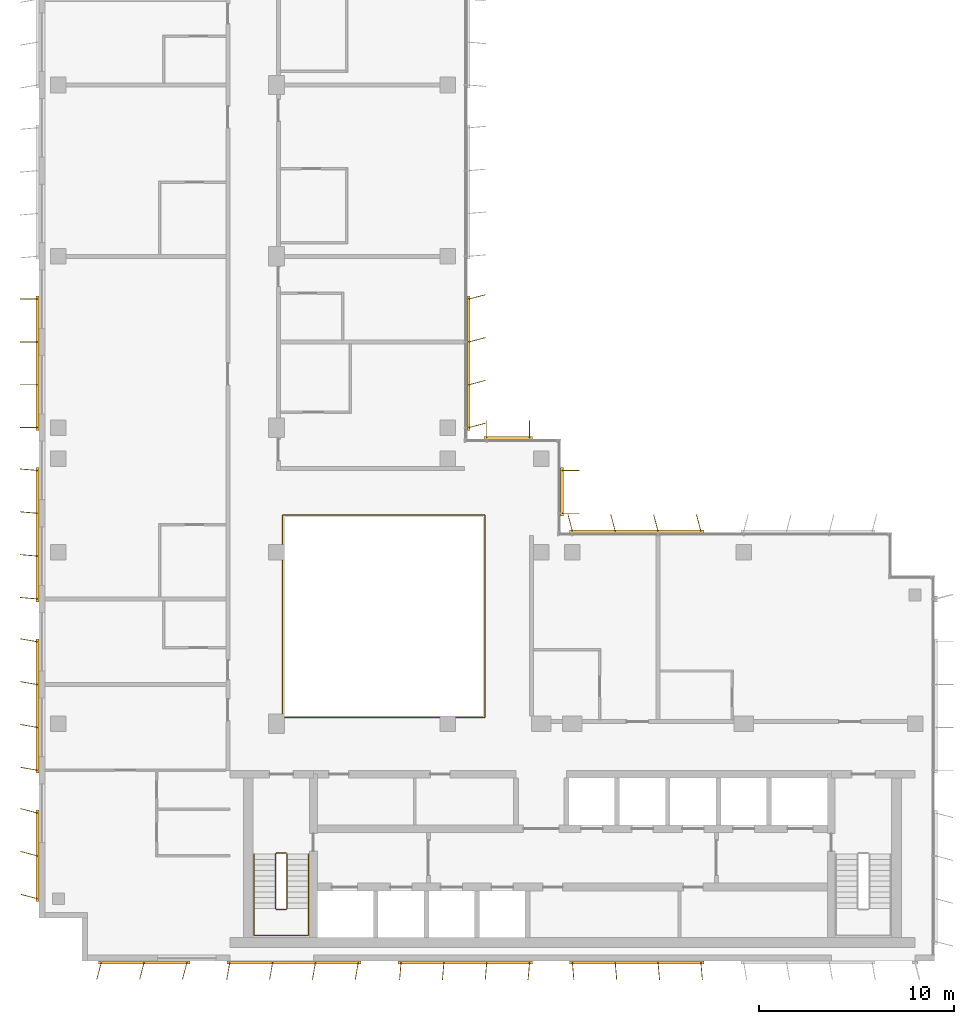
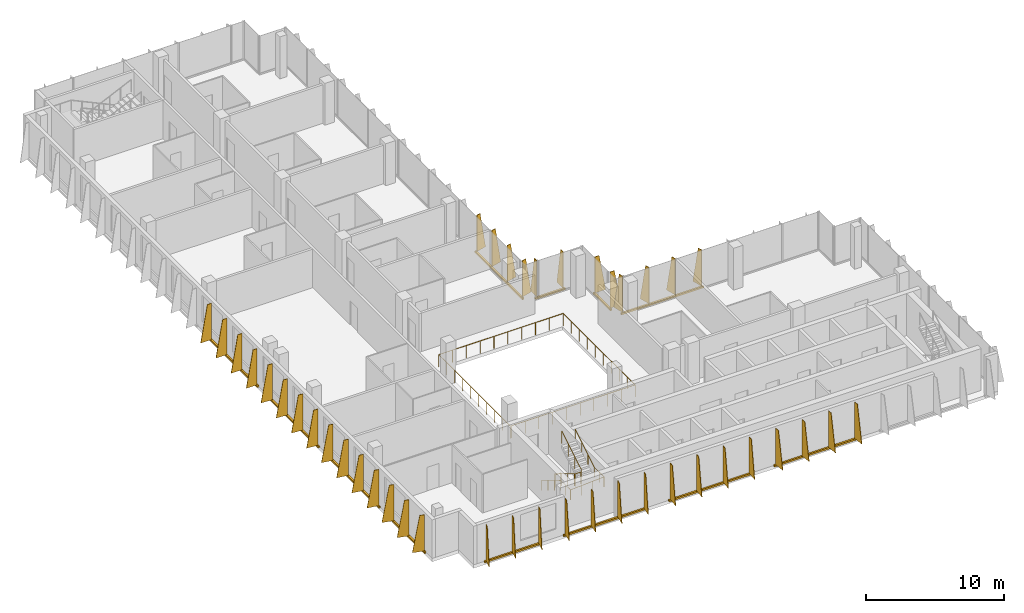
# One storey, part 13 of 15: 12 shading devices, 3 railings.
"""IFC4 building model written with IfcOpenShell, lengths in metres."""

from ifc_helpers import new_model, si_unit, direction, frame, origin, origin_2d, place, context, subcontext, project, spatial, polyline, rectangle, circle, outline, extrude, source, transform, mapped, material, layer, layer_set, type_object, element, save


model = new_model("IFC4")

# Units and contexts
model_context = context("Model", 3, precision=1e-05, world=origin(), true_north=direction((0.0, 1.0)))
body_context = subcontext(model_context, "Body", "Model", "MODEL_VIEW")
ifc_project = project(units=[si_unit("LENGTHUNIT", "METRE"), si_unit("AREAUNIT", "SQUARE_METRE"), si_unit("VOLUMEUNIT", "CUBIC_METRE"), si_unit("PLANEANGLEUNIT", "RADIAN"), si_unit("MASSUNIT", "GRAM", prefix="KILO")], contexts=[model_context])

# Site, building, storey
site_placement = place(None, origin())
site = spatial("IfcSite", under=ifc_project, at=site_placement, CompositionType="ELEMENT")
building_placement = place(site_placement, origin())
building = spatial("IfcBuilding", under=site, at=building_placement, Name="Kemantara Hotel Tower", CompositionType="ELEMENT")
storey_placement = place(building_placement, frame((0.0, 0.0, 233.89990234375)))
storey = spatial("IfcBuildingStorey", under=building, at=storey_placement, Name="L58", CompositionType="ELEMENT", Elevation=233.89990234375)

# Railings
ifc_material_1 = material(Name="Stainless steel and laminated glass balustrade", Category="steel")
railing_type_1 = type_object("IfcRailingType", Name="ATRIUM GUARD 1100", PredefinedType="GUARDRAIL", material=ifc_material_1)
railing_1_placement = place(storey_placement, frame((12.56005859375, 12.5, 0.0)))
element("IfcRailing", 1, at=railing_1_placement, inside=storey, type_object=railing_type_1, Name="ATRIUM GUARD L58", PredefinedType="GUARDRAIL", context=body_context, shape_type="SweptSolid", body=[
    extrude(circle(Radius=0.02490234375, at=origin_2d()), frame((0.0, 0.0, 1.0751953125), z_axis=(1.0, 0.0, 0.0), x_axis=(0.0, 1.0, 0.0)), (0.0, 0.0, 1.0), 10.33984375),
    extrude(circle(Radius=0.02490234375, at=origin_2d()), frame((10.33984375, 0.0, 1.0751953125), z_axis=(0.0, 1.0, 0.0), x_axis=(-1.0, 0.0, 0.0)), (0.0, 0.0, 1.0), 10.39990234375),
    extrude(circle(Radius=0.02490234375, at=origin_2d()), frame((10.33984375, 10.39990234375, 1.0751953125), z_axis=(-1.0, 0.0, 0.0), x_axis=(0.0, -1.0, 0.0)), (0.0, 0.0, 1.0), 10.39990234375),
    extrude(circle(Radius=0.02490234375, at=origin_2d()), frame((-0.06005859375, 10.39990234375, 1.0751953125), z_axis=(0.0, -1.0, 0.0), x_axis=(1.0, 0.0, 0.0)), (0.0, 0.0, 1.0), 10.39990234375),
    extrude(circle(Radius=0.02001953125, at=origin_2d()), origin(), (0.0, 0.0, 1.0), 1.050048828125),
    extrude(circle(Radius=0.02001953125, at=origin_2d()), frame((1.14892578125, 0.0, 0.0)), (0.0, 0.0, 1.0), 1.050048828125),
    extrude(circle(Radius=0.02001953125, at=origin_2d()), frame((2.2978515625, 0.0, 0.0)), (0.0, 0.0, 1.0), 1.050048828125),
    extrude(circle(Radius=0.02001953125, at=origin_2d()), frame((3.446533203125, 0.0, 0.0)), (0.0, 0.0, 1.0), 1.050048828125),
    extrude(circle(Radius=0.02001953125, at=origin_2d()), frame((4.595458984375, 0.0, 0.0)), (0.0, 0.0, 1.0), 1.050048828125),
    extrude(circle(Radius=0.02001953125, at=origin_2d()), frame((5.744384765625, 0.0, 0.0)), (0.0, 0.0, 1.0), 1.050048828125),
    extrude(circle(Radius=0.02001953125, at=origin_2d()), frame((6.893310546875, 0.0, 0.0)), (0.0, 0.0, 1.0), 1.050048828125),
    extrude(circle(Radius=0.02001953125, at=origin_2d()), frame((8.0419921875, 0.0, 0.0)), (0.0, 0.0, 1.0), 1.050048828125),
    extrude(circle(Radius=0.02001953125, at=origin_2d()), frame((9.19091796875, 0.0, 0.0)), (0.0, 0.0, 1.0), 1.050048828125),
    extrude(circle(Radius=0.02001953125, at=origin_2d()), frame((10.33984375, 0.0, 0.0)), (0.0, 0.0, 1.0), 1.050048828125),
    extrude(circle(Radius=0.02001953125, at=origin_2d()), frame((10.33984375, 1.155517578125, 0.0)), (0.0, 0.0, 1.0), 1.050048828125),
    extrude(circle(Radius=0.02001953125, at=origin_2d()), frame((10.33984375, 2.31103515625, 0.0)), (0.0, 0.0, 1.0), 1.050048828125),
    extrude(circle(Radius=0.02001953125, at=origin_2d()), frame((10.33984375, 3.466552734375, 0.0)), (0.0, 0.0, 1.0), 1.050048828125),
    extrude(circle(Radius=0.02001953125, at=origin_2d()), frame((10.33984375, 4.6220703125, 0.0)), (0.0, 0.0, 1.0), 1.050048828125),
    extrude(circle(Radius=0.02001953125, at=origin_2d()), frame((10.33984375, 5.77783203125, 0.0)), (0.0, 0.0, 1.0), 1.050048828125),
    extrude(circle(Radius=0.02001953125, at=origin_2d()), frame((10.33984375, 6.933349609375, 0.0)), (0.0, 0.0, 1.0), 1.050048828125),
    extrude(circle(Radius=0.02001953125, at=origin_2d()), frame((10.33984375, 8.0888671875, 0.0)), (0.0, 0.0, 1.0), 1.050048828125),
    extrude(circle(Radius=0.02001953125, at=origin_2d()), frame((10.33984375, 9.244384765625, 0.0)), (0.0, 0.0, 1.0), 1.050048828125),
    extrude(circle(Radius=0.02001953125, at=origin_2d()), frame((10.33984375, 10.39990234375, 0.0)), (0.0, 0.0, 1.0), 1.050048828125),
    extrude(circle(Radius=0.02001953125, at=origin_2d()), frame((9.184326171875, 10.39990234375, 0.0)), (0.0, 0.0, 1.0), 1.050048828125),
    extrude(circle(Radius=0.02001953125, at=origin_2d()), frame((8.02880859375, 10.39990234375, 0.0)), (0.0, 0.0, 1.0), 1.050048828125),
    extrude(circle(Radius=0.02001953125, at=origin_2d()), frame((6.873291015625, 10.39990234375, 0.0)), (0.0, 0.0, 1.0), 1.050048828125),
    extrude(circle(Radius=0.02001953125, at=origin_2d()), frame((5.7177734375, 10.39990234375, 0.0)), (0.0, 0.0, 1.0), 1.050048828125),
    extrude(circle(Radius=0.02001953125, at=origin_2d()), frame((4.56201171875, 10.39990234375, 0.0)), (0.0, 0.0, 1.0), 1.050048828125),
    extrude(circle(Radius=0.02001953125, at=origin_2d()), frame((3.406494140625, 10.39990234375, 0.0)), (0.0, 0.0, 1.0), 1.050048828125),
    extrude(circle(Radius=0.02001953125, at=origin_2d()), frame((2.2509765625, 10.39990234375, 0.0)), (0.0, 0.0, 1.0), 1.050048828125),
    extrude(circle(Radius=0.02001953125, at=origin_2d()), frame((1.095458984375, 10.39990234375, 0.0)), (0.0, 0.0, 1.0), 1.050048828125),
    extrude(circle(Radius=0.02001953125, at=origin_2d()), frame((-0.06005859375, 10.39990234375, 0.0)), (0.0, 0.0, 1.0), 1.050048828125),
    extrude(circle(Radius=0.02001953125, at=origin_2d()), frame((-0.06005859375, 9.244384765625, 0.0)), (0.0, 0.0, 1.0), 1.050048828125),
    extrude(circle(Radius=0.02001953125, at=origin_2d()), frame((-0.06005859375, 8.0888671875, 0.0)), (0.0, 0.0, 1.0), 1.050048828125),
    extrude(circle(Radius=0.02001953125, at=origin_2d()), frame((-0.06005859375, 6.933349609375, 0.0)), (0.0, 0.0, 1.0), 1.050048828125),
    extrude(circle(Radius=0.02001953125, at=origin_2d()), frame((-0.06005859375, 5.77783203125, 0.0)), (0.0, 0.0, 1.0), 1.050048828125),
    extrude(circle(Radius=0.02001953125, at=origin_2d()), frame((-0.06005859375, 4.6220703125, 0.0)), (0.0, 0.0, 1.0), 1.050048828125),
    extrude(circle(Radius=0.02001953125, at=origin_2d()), frame((-0.06005859375, 3.466552734375, 0.0)), (0.0, 0.0, 1.0), 1.050048828125),
    extrude(circle(Radius=0.02001953125, at=origin_2d()), frame((-0.06005859375, 2.31103515625, 0.0)), (0.0, 0.0, 1.0), 1.050048828125),
    extrude(circle(Radius=0.02001953125, at=origin_2d()), frame((-0.06005859375, 1.155517578125, 0.0)), (0.0, 0.0, 1.0), 1.050048828125),
    extrude(circle(Radius=0.02001953125, at=origin_2d()), frame((-0.06005859375, 0.0, 0.0)), (0.0, 0.0, 1.0), 1.050048828125),
])
ifc_material_2 = material(Name="Stainless steel balustrade", Category="steel")
railing_type_2 = type_object("IfcRailingType", Name="Stair guard 1100 mm", PredefinedType="GUARDRAIL", material=ifc_material_2)
railing_2_placement = place(storey_placement, frame((12.75, 5.5, 3.7001953125)))
element("IfcRailing", 2, at=railing_2_placement, inside=storey, type_object=railing_type_2, Name="L58 ST1 stair guard 1", PredefinedType="GUARDRAIL", context=body_context, shape_type="SweptSolid", body=[
    extrude(circle(Radius=0.02392578125, at=origin_2d()), frame((0.0, 0.0, 1.076171875), z_axis=(0.0, -0.857242210791, -0.514913383045), x_axis=(1.0, 0.0, 0.0)), (0.0, 0.0, 1.0), 3.266357421875),
    extrude(circle(Radius=0.02392578125, at=origin_2d()), frame((0.0, -2.800048828125, -0.60595703125), z_axis=(-0.274243871929, -0.274243871929, -0.92172696468), x_axis=(0.707106781187, -0.707106781187, 0.0)), (0.0, 0.0, 1.0), 0.1826171875),
    extrude(circle(Radius=0.02392578125, at=origin_2d()), frame((-0.050048828125, -2.85009765625, -0.77392578125), z_axis=(-1.0, 0.0, 0.0), x_axis=(0.0, -1.0, 0.0)), (0.0, 0.0, 1.0), 0.5),
    extrude(circle(Radius=0.02392578125, at=origin_2d()), frame((-0.550048828125, -2.85009765625, -0.77392578125), z_axis=(-0.707106781187, 0.707106781187, 0.0), x_axis=(-0.707106781187, -0.707106781187, 0.0)), (0.0, 0.0, 1.0), 0.07080078125),
    extrude(circle(Radius=0.02392578125, at=origin_2d()), frame((-0.60009765625, -2.800048828125, -0.77392578125), z_axis=(0.0, 0.857242210791, -0.514913383045), x_axis=(-1.0, 0.0, 0.0)), (0.0, 0.0, 1.0), 3.266357421875),
    extrude(circle(Radius=0.02392578125, at=origin_2d()), frame((-0.60009765625, 0.0, -2.4560546875), z_axis=(0.274243871929, 0.274243871929, -0.92172696468), x_axis=(-0.707106781187, 0.707106781187, 0.0)), (0.0, 0.0, 1.0), 0.1826171875),
    extrude(circle(Radius=0.02392578125, at=origin_2d()), frame((-0.550048828125, 0.050048828125, -2.6240234375), z_axis=(1.0, 0.0, 0.0), x_axis=(0.0, 1.0, 0.0)), (0.0, 0.0, 1.0), 0.5),
    extrude(circle(Radius=0.02099609375, at=origin_2d()), origin(), (0.0, 0.0, 1.0), 1.052001953125),
    extrude(circle(Radius=0.02099609375, at=origin_2d()), frame((0.0, -0.933349609375, -0.560546875)), (0.0, 0.0, 1.0), 1.052001953125),
    extrude(circle(Radius=0.02099609375, at=origin_2d()), frame((0.0, -1.86669921875, -1.121337890625)), (0.0, 0.0, 1.0), 1.052001953125),
    extrude(circle(Radius=0.02099609375, at=origin_2d()), frame((0.0, -2.800048828125, -1.681884765625)), (0.0, 0.0, 1.0), 1.052001953125),
    extrude(circle(Radius=0.02099609375, at=origin_2d()), frame((-0.050048828125, -2.85009765625, -1.85009765625)), (0.0, 0.0, 1.0), 1.052001953125),
    extrude(circle(Radius=0.02099609375, at=origin_2d()), frame((-0.550048828125, -2.85009765625, -1.85009765625)), (0.0, 0.0, 1.0), 1.052001953125),
    extrude(circle(Radius=0.02099609375, at=origin_2d()), frame((-0.60009765625, -2.800048828125, -1.85009765625)), (0.0, 0.0, 1.0), 1.052001953125),
    extrude(circle(Radius=0.02099609375, at=origin_2d()), frame((-0.60009765625, -1.86669921875, -2.41064453125)), (0.0, 0.0, 1.0), 1.052001953125),
    extrude(circle(Radius=0.02099609375, at=origin_2d()), frame((-0.60009765625, -0.933349609375, -2.971435546875)), (0.0, 0.0, 1.0), 1.052001953125),
    extrude(circle(Radius=0.02099609375, at=origin_2d()), frame((-0.60009765625, 0.0, -3.531982421875)), (0.0, 0.0, 1.0), 1.052001953125),
    extrude(circle(Radius=0.02099609375, at=origin_2d()), frame((-0.550048828125, 0.050048828125, -3.7001953125)), (0.0, 0.0, 1.0), 1.052001953125),
    extrude(circle(Radius=0.02099609375, at=origin_2d()), frame((-0.050048828125, 0.050048828125, -3.7001953125)), (0.0, 0.0, 1.0), 1.052001953125),
])
railing_type_3 = type_object("IfcRailingType", Name="Stair handrail 900 mm", PredefinedType="HANDRAIL", material=ifc_material_2)
railing_3_placement = place(storey_placement, frame((11.050048828125, 5.5, 0.168212890625)))
element("IfcRailing", 3, at=railing_3_placement, inside=storey, type_object=railing_type_3, Name="L58 ST1 stair handrail 1", PredefinedType="HANDRAIL", context=body_context, shape_type="SweptSolid", body=[
    extrude(circle(Radius=0.02392578125, at=origin_2d()), frame((0.0, 0.0, 0.8759765625), z_axis=(0.0, -0.857242210791, 0.514913383045), x_axis=(1.0, 0.0, 0.0)), (0.0, 0.0, 1.0), 3.266357421875),
    extrude(circle(Radius=0.02392578125, at=origin_2d()), frame((0.0, -2.800048828125, 2.5576171875), z_axis=(0.0, -1.0, 0.0), x_axis=(1.0, 0.0, 0.0)), (0.0, 0.0, 1.0), 1.3798828125),
    extrude(circle(Radius=0.02392578125, at=origin_2d()), frame((0.0, -4.179931640625, 2.5576171875), z_axis=(0.998200367801, 0.0, 0.059966871865), x_axis=(0.0, 1.0, 0.0)), (0.0, 0.0, 1.0), 2.80517578125),
    extrude(circle(Radius=0.02392578125, at=origin_2d()), frame((2.800048828125, -4.179931640625, 2.72607421875), z_axis=(0.0, 1.0, 0.0), x_axis=(-1.0, 0.0, 0.0)), (0.0, 0.0, 1.0), 1.3798828125),
    extrude(circle(Radius=0.02392578125, at=origin_2d()), frame((2.800048828125, -2.800048828125, 2.72607421875), z_axis=(0.0, 0.857242210791, 0.514913383045), x_axis=(-1.0, 0.0, 0.0)), (0.0, 0.0, 1.0), 3.266357421875),
    extrude(circle(Radius=0.02099609375, at=origin_2d()), origin(), (0.0, 0.0, 1.0), 0.851806640625),
    extrude(circle(Radius=0.02099609375, at=origin_2d()), frame((0.0, -0.933349609375, 0.560546875)), (0.0, 0.0, 1.0), 0.851806640625),
    extrude(circle(Radius=0.02099609375, at=origin_2d()), frame((0.0, -1.86669921875, 1.121337890625)), (0.0, 0.0, 1.0), 0.851806640625),
    extrude(circle(Radius=0.02099609375, at=origin_2d()), frame((0.0, -2.800048828125, 1.681884765625)), (0.0, 0.0, 1.0), 0.851806640625),
    extrude(circle(Radius=0.02099609375, at=origin_2d()), frame((0.0, -3.489990234375, 1.681884765625)), (0.0, 0.0, 1.0), 0.851806640625),
    extrude(circle(Radius=0.02099609375, at=origin_2d()), frame((0.0, -4.179931640625, 1.681884765625)), (0.0, 0.0, 1.0), 0.851806640625),
    extrude(circle(Radius=0.02099609375, at=origin_2d()), frame((0.933349609375, -4.179931640625, 1.738037109375)), (0.0, 0.0, 1.0), 0.851806640625),
    extrude(circle(Radius=0.02099609375, at=origin_2d()), frame((1.86669921875, -4.179931640625, 1.7939453125)), (0.0, 0.0, 1.0), 0.851806640625),
    extrude(circle(Radius=0.02099609375, at=origin_2d()), frame((2.800048828125, -4.179931640625, 1.85009765625)), (0.0, 0.0, 1.0), 0.851806640625),
    extrude(circle(Radius=0.02099609375, at=origin_2d()), frame((2.800048828125, -3.489990234375, 1.85009765625)), (0.0, 0.0, 1.0), 0.851806640625),
    extrude(circle(Radius=0.02099609375, at=origin_2d()), frame((2.800048828125, -2.800048828125, 1.85009765625)), (0.0, 0.0, 1.0), 0.851806640625),
    extrude(circle(Radius=0.02099609375, at=origin_2d()), frame((2.800048828125, -1.86669921875, 2.41064453125)), (0.0, 0.0, 1.0), 0.851806640625),
    extrude(circle(Radius=0.02099609375, at=origin_2d()), frame((2.800048828125, -0.933349609375, 2.971435546875)), (0.0, 0.0, 1.0), 0.851806640625),
    extrude(circle(Radius=0.02099609375, at=origin_2d()), frame((2.800048828125, 0.0, 3.531982421875)), (0.0, 0.0, 1.0), 0.851806640625),
])

# Shading devices
ifc_material_3 = material(Name="Perforated aluminium plate 4 mm bronze anodised", Category="aluminium")
ifc_layer_1 = layer(ifc_material_3, 0.0400390625)
ifc_layer_set_1 = layer_set([ifc_layer_1], Name="Perforated aluminium plate 4 mm bronze anodised")
shading_device_type_1 = type_object("IfcShadingDeviceType", Name="SCREEN FIN CASSETTE, 3 BLADES AT -15.0 DEG, 3200 HIGH", PredefinedType="USERDEFINED", material=ifc_layer_set_1)
shared_shape_1 = source(origin(), body_context, "Body", "SweptSolid", [
    extrude(rectangle(XDim=4.699951171875, YDim=0.14990234375, at=origin_2d()), frame((2.199951171875, -0.074951171875, -0.14990234375), z_axis=(0.0, 0.0, 1.0), x_axis=(1.0, 0.0, 0.0)), (0.0, 0.0, 1.0), 0.14990234375),
    extrude(outline(polyline([(0.0, 0.0), (0.89990234375, 0.0), (0.35009765625, 3.199951171875), (0.0, 3.199951171875), (0.0, 0.0)])), frame((0.019287109375, -0.080078125, 0.0), z_axis=(-0.966437683387, 0.256901156343, 0.0), x_axis=(-0.256901156343, -0.966437683387, 0.0)), (0.0, 0.0, 1.0), 0.039794921875),
    extrude(outline(polyline([(0.0, 0.0), (0.89990234375, 0.0), (0.35009765625, 3.199951171875), (0.0, 3.199951171875), (0.0, 0.0)])), frame((2.21923828125, -0.080078125, 0.0), z_axis=(-0.966437683387, 0.256901156343, 0.0), x_axis=(-0.256901156343, -0.966437683387, 0.0)), (0.0, 0.0, 1.0), 0.039794921875),
    extrude(outline(polyline([(0.0, 0.0), (0.89990234375, 0.0), (0.35009765625, 3.199951171875), (0.0, 3.199951171875), (0.0, 0.0)])), frame((4.41943359375, -0.080078125, 0.0), z_axis=(-0.966837822169, 0.255391122837, 0.0), x_axis=(-0.255391122837, -0.966837822169, 0.0)), (0.0, 0.0, 1.0), 0.0400390625),
])
for number, where, z_axis, x_axis, name in (
    (4, (0.0, 7.60009765625, 0.10009765625), (0.0, 0.0, 1.0), (0.0, -1.0, 0.0), "SCREEN FIN CASSETTE L58 T4-R05-7"),
    (5, (3.199951171875, 0.0, 0.10009765625), (0.0, 0.0, 1.0), (1.0, 0.0, 0.0), "SCREEN FIN CASSETTE L58 T4-R08-1"),
):
    element("IfcShadingDevice", number, at=place(storey_placement, frame(where, z_axis=z_axis, x_axis=x_axis)), inside=storey, type_object=shading_device_type_1, Name=name, ObjectType="SCREEN FIN", PredefinedType="USERDEFINED", context=body_context, shape_type="MappedRepresentation", body=[
        mapped(shared_shape_1, transform((0.0, 0.0, 0.0))),
    ])
ifc_layer_2 = layer(ifc_material_3, 0.0400390625)
ifc_layer_set_2 = layer_set([ifc_layer_2], Name="Perforated aluminium plate 4 mm bronze anodised")
shading_device_type_2 = type_object("IfcShadingDeviceType", Name="SCREEN FIN CASSETTE, 4 BLADES AT -10.0 DEG, 3200 HIGH", PredefinedType="USERDEFINED", material=ifc_layer_set_2)
shared_shape_2 = source(origin(), body_context, "Body", "SweptSolid", [
    extrude(rectangle(XDim=6.89990234375, YDim=0.14990234375, at=origin_2d()), frame((3.300048828125, -0.074951171875, -0.14990234375), z_axis=(0.0, 0.0, 1.0), x_axis=(1.0, 0.0, 0.0)), (0.0, 0.0, 1.0), 0.14990234375),
    extrude(outline(polyline([(0.0, 0.0), (0.89990234375, 0.0), (0.35009765625, 3.199951171875), (0.0, 3.199951171875), (0.0, 0.0)])), frame((0.019775390625, -0.078369140625, 0.0), z_axis=(-0.985389793052, 0.170314285219, 0.0), x_axis=(-0.170314285219, -0.985389793052, 0.0)), (0.0, 0.0, 1.0), 0.0400390625),
    extrude(outline(polyline([(0.0, 0.0), (0.89990234375, 0.0), (0.35009765625, 3.199951171875), (0.0, 3.199951171875), (0.0, 0.0)])), frame((2.2197265625, -0.078369140625, 0.0), z_axis=(-0.98521175482, 0.171341174751, 0.0), x_axis=(-0.171341174751, -0.98521175482, 0.0)), (0.0, 0.0, 1.0), 0.039794921875),
    extrude(outline(polyline([(0.0, 0.0), (0.89990234375, 0.0), (0.35009765625, 3.199951171875), (0.0, 3.199951171875), (0.0, 0.0)])), frame((4.419677734375, -0.078369140625, 0.0), z_axis=(-0.98521175482, 0.171341174751, 0.0), x_axis=(-0.171341174751, -0.98521175482, 0.0)), (0.0, 0.0, 1.0), 0.039794921875),
    extrude(outline(polyline([(0.0, 0.0), (0.89990234375, 0.0), (0.35009765625, 3.199951171875), (0.0, 3.199951171875), (0.0, 0.0)])), frame((6.61962890625, -0.078369140625, 0.0), z_axis=(-0.98521175482, 0.171341174751, 0.0), x_axis=(-0.171341174751, -0.98521175482, 0.0)), (0.0, 0.0, 1.0), 0.039794921875),
])
for number, where, z_axis, x_axis, name in (
    (6, (0.0, 16.39990234375, 0.10009765625), (0.0, 0.0, 1.0), (0.0, -1.0, 0.0), "SCREEN FIN CASSETTE L58 T4-R05-6"),
    (7, (9.800048828125, 0.0, 0.10009765625), (0.0, 0.0, 1.0), (1.0, 0.0, 0.0), "SCREEN FIN CASSETTE L58 T4-R08-2"),
):
    element("IfcShadingDevice", number, at=place(storey_placement, frame(where, z_axis=z_axis, x_axis=x_axis)), inside=storey, type_object=shading_device_type_2, Name=name, ObjectType="SCREEN FIN", PredefinedType="USERDEFINED", context=body_context, shape_type="MappedRepresentation", body=[
        mapped(shared_shape_2, transform((0.0, 0.0, 0.0))),
    ])
ifc_layer_3 = layer(ifc_material_3, 0.0400390625)
ifc_layer_set_3 = layer_set([ifc_layer_3], Name="Perforated aluminium plate 4 mm bronze anodised")
shading_device_type_3 = type_object("IfcShadingDeviceType", Name="SCREEN FIN CASSETTE, 4 BLADES AT -5.0 DEG, 3200 HIGH", PredefinedType="USERDEFINED", material=ifc_layer_set_3)
shared_shape_3 = source(origin(), body_context, "Body", "SweptSolid", [
    extrude(rectangle(XDim=6.89990234375, YDim=0.14990234375, at=origin_2d()), frame((3.300048828125, -0.074951171875, -0.14990234375), z_axis=(0.0, 0.0, 1.0), x_axis=(1.0, 0.0, 0.0)), (0.0, 0.0, 1.0), 0.14990234375),
    extrude(outline(polyline([(0.0, 0.0), (0.89990234375, 0.0), (0.35009765625, 3.199951171875), (0.0, 3.199951171875), (0.0, 0.0)])), frame((0.02001953125, -0.07666015625, 0.0), z_axis=(-0.996376129781, 0.085056498884, 0.0), x_axis=(-0.085056498884, -0.996376129781, 0.0)), (0.0, 0.0, 1.0), 0.040283203125),
    extrude(outline(polyline([(0.0, 0.0), (0.89990234375, 0.0), (0.35009765625, 3.199951171875), (0.0, 3.199951171875), (0.0, 0.0)])), frame((2.219970703125, -0.07666015625, 0.0), z_axis=(-0.996331773833, 0.085574508182, 0.0), x_axis=(-0.085574508182, -0.996331773833, 0.0)), (0.0, 0.0, 1.0), 0.0400390625),
    extrude(outline(polyline([(0.0, 0.0), (0.89990234375, 0.0), (0.35009765625, 3.199951171875), (0.0, 3.199951171875), (0.0, 0.0)])), frame((4.419921875, -0.07666015625, 0.0), z_axis=(-0.996331773833, 0.085574508182, 0.0), x_axis=(-0.085574508182, -0.996331773833, 0.0)), (0.0, 0.0, 1.0), 0.0400390625),
    extrude(outline(polyline([(0.0, 0.0), (0.89990234375, 0.0), (0.35009765625, 3.199951171875), (0.0, 3.199951171875), (0.0, 0.0)])), frame((6.619873046875, -0.07666015625, 0.0), z_axis=(-0.996331773833, 0.085574508182, 0.0), x_axis=(-0.085574508182, -0.996331773833, 0.0)), (0.0, 0.0, 1.0), 0.0400390625),
])
for number, where, z_axis, x_axis, name in (
    (8, (0.0, 25.199951171875, 0.10009765625), (0.0, 0.0, 1.0), (0.0, -1.0, 0.0), "SCREEN FIN CASSETTE L58 T4-R05-5"),
    (9, (18.60009765625, 0.0, 0.10009765625), (0.0, 0.0, 1.0), (1.0, 0.0, 0.0), "SCREEN FIN CASSETTE L58 T4-R08-3"),
):
    element("IfcShadingDevice", number, at=place(storey_placement, frame(where, z_axis=z_axis, x_axis=x_axis)), inside=storey, type_object=shading_device_type_3, Name=name, ObjectType="SCREEN FIN", PredefinedType="USERDEFINED", context=body_context, shape_type="MappedRepresentation", body=[
        mapped(shared_shape_3, transform((0.0, 0.0, 0.0))),
    ])
ifc_layer_4 = layer(ifc_material_3, 0.0400390625)
ifc_layer_set_4 = layer_set([ifc_layer_4], Name="Perforated aluminium plate 4 mm bronze anodised")
shading_device_type_4 = type_object("IfcShadingDeviceType", Name="SCREEN FIN CASSETTE, 4 BLADES AT +0.0 DEG, 3200 HIGH", PredefinedType="USERDEFINED", material=ifc_layer_set_4)
shared_shape_4 = source(origin(), body_context, "Body", "SweptSolid", [
    extrude(rectangle(XDim=6.89990234375, YDim=0.14990234375, at=origin_2d()), frame((3.300048828125, -0.074951171875, -0.14990234375), z_axis=(0.0, 0.0, 1.0), x_axis=(1.0, 0.0, 0.0)), (0.0, 0.0, 1.0), 0.14990234375),
    extrude(outline(polyline([(0.0, 0.0), (0.89990234375, 0.0), (0.35009765625, 3.199951171875), (0.0, 3.199951171875), (0.0, 0.0)])), frame((0.02001953125, -0.074951171875, 0.0), z_axis=(-1.0, 0.0, 0.0), x_axis=(0.0, -1.0, 0.0)), (0.0, 0.0, 1.0), 0.0400390625),
    extrude(outline(polyline([(0.0, 0.0), (0.89990234375, 0.0), (0.35009765625, 3.199951171875), (0.0, 3.199951171875), (0.0, 0.0)])), frame((2.219970703125, -0.074951171875, 0.0), z_axis=(-1.0, 0.0, 0.0), x_axis=(0.0, -1.0, 0.0)), (0.0, 0.0, 1.0), 0.0400390625),
    extrude(outline(polyline([(0.0, 0.0), (0.89990234375, 0.0), (0.35009765625, 3.199951171875), (0.0, 3.199951171875), (0.0, 0.0)])), frame((4.419921875, -0.074951171875, 0.0), z_axis=(-1.0, 0.0, 0.0), x_axis=(0.0, -1.0, 0.0)), (0.0, 0.0, 1.0), 0.0400390625),
    extrude(outline(polyline([(0.0, 0.0), (0.89990234375, 0.0), (0.35009765625, 3.199951171875), (0.0, 3.199951171875), (0.0, 0.0)])), frame((6.6201171875, -0.074951171875, 0.0), z_axis=(-1.0, 0.0, 0.0), x_axis=(0.0, -1.0, 0.0)), (0.0, 0.0, 1.0), 0.0400390625),
])
shading_device_1_placement = place(storey_placement, frame((0.0, 34.0, 0.10009765625), z_axis=(0.0, 0.0, 1.0), x_axis=(0.0, -1.0, 0.0)))
element("IfcShadingDevice", 10, at=shading_device_1_placement, inside=storey, type_object=shading_device_type_4, Name="SCREEN FIN CASSETTE L58 T4-R05-4", ObjectType="SCREEN FIN", PredefinedType="USERDEFINED", context=body_context, shape_type="MappedRepresentation", body=[
    mapped(shared_shape_4, transform((0.0, 0.0, 0.0))),
])
ifc_layer_5 = layer(ifc_material_3, 0.0400390625)
ifc_layer_set_5 = layer_set([ifc_layer_5], Name="Perforated aluminium plate 4 mm bronze anodised")
shading_device_type_5 = type_object("IfcShadingDeviceType", Name="SCREEN FIN CASSETTE, 4 BLADES AT +5.0 DEG, 3200 HIGH", PredefinedType="USERDEFINED", material=ifc_layer_set_5)
shared_shape_5 = source(origin(), body_context, "Body", "SweptSolid", [
    extrude(rectangle(XDim=6.89990234375, YDim=0.14990234375, at=origin_2d()), frame((3.300048828125, -0.074951171875, -0.14990234375), z_axis=(0.0, 0.0, 1.0), x_axis=(1.0, 0.0, 0.0)), (0.0, 0.0, 1.0), 0.14990234375),
    extrude(outline(polyline([(0.0, 0.0), (0.89990234375, 0.0), (0.35009765625, 3.199951171875), (0.0, 3.199951171875), (0.0, 0.0)])), frame((0.02001953125, -0.0732421875, 0.0), z_axis=(-0.996376129781, -0.085056498884, 0.0), x_axis=(0.085056498884, -0.996376129781, 0.0)), (0.0, 0.0, 1.0), 0.040283203125),
    extrude(outline(polyline([(0.0, 0.0), (0.89990234375, 0.0), (0.35009765625, 3.199951171875), (0.0, 3.199951171875), (0.0, 0.0)])), frame((2.219970703125, -0.0732421875, 0.0), z_axis=(-0.996331773833, -0.085574508182, 0.0), x_axis=(0.085574508182, -0.996331773833, 0.0)), (0.0, 0.0, 1.0), 0.0400390625),
    extrude(outline(polyline([(0.0, 0.0), (0.89990234375, 0.0), (0.35009765625, 3.199951171875), (0.0, 3.199951171875), (0.0, 0.0)])), frame((4.419921875, -0.0732421875, 0.0), z_axis=(-0.996331773833, -0.085574508182, 0.0), x_axis=(0.085574508182, -0.996331773833, 0.0)), (0.0, 0.0, 1.0), 0.0400390625),
    extrude(outline(polyline([(0.0, 0.0), (0.89990234375, 0.0), (0.35009765625, 3.199951171875), (0.0, 3.199951171875), (0.0, 0.0)])), frame((6.619873046875, -0.0732421875, 0.0), z_axis=(-0.996331773833, -0.085574508182, 0.0), x_axis=(0.085574508182, -0.996331773833, 0.0)), (0.0, 0.0, 1.0), 0.0400390625),
])
shading_device_2_placement = place(storey_placement, frame((27.39990234375, 0.0, 0.10009765625), z_axis=(0.0, 0.0, 1.0), x_axis=(1.0, 0.0, 0.0)))
element("IfcShadingDevice", 11, at=shading_device_2_placement, inside=storey, type_object=shading_device_type_5, Name="SCREEN FIN CASSETTE L58 T4-R08-4", ObjectType="SCREEN FIN", PredefinedType="USERDEFINED", context=body_context, shape_type="MappedRepresentation", body=[
    mapped(shared_shape_5, transform((0.0, 0.0, 0.0))),
])
ifc_layer_6 = layer(ifc_material_3, 0.0400390625)
ifc_layer_set_6 = layer_set([ifc_layer_6], Name="Perforated aluminium plate 4 mm bronze anodised")
shading_device_type_6 = type_object("IfcShadingDeviceType", Name="SCREEN FIN CASSETTE, 4 BLADES AT +15.0 DEG, 3200 HIGH", PredefinedType="USERDEFINED", material=ifc_layer_set_6)
shared_shape_6 = source(origin(), body_context, "Body", "SweptSolid", [
    extrude(rectangle(XDim=6.89990234375, YDim=0.14990234375, at=origin_2d()), frame((3.300048828125, -0.074951171875, -0.14990234375), z_axis=(0.0, 0.0, 1.0), x_axis=(1.0, 0.0, 0.0)), (0.0, 0.0, 1.0), 0.14990234375),
    extrude(outline(polyline([(0.0, 0.0), (0.89990234375, 0.0), (0.35009765625, 3.199951171875), (0.0, 3.199951171875), (0.0, 0.0)])), frame((0.019287109375, -0.06982421875, 0.0), z_axis=(-0.966437683387, -0.256901156343, 0.0), x_axis=(0.256901156343, -0.966437683387, 0.0)), (0.0, 0.0, 1.0), 0.039794921875),
    extrude(outline(polyline([(0.0, 0.0), (0.89990234375, 0.0), (0.35009765625, 3.199951171875), (0.0, 3.199951171875), (0.0, 0.0)])), frame((2.21923828125, -0.06982421875, 0.0), z_axis=(-0.966437683387, -0.256901156343, 0.0), x_axis=(0.256901156343, -0.966437683387, 0.0)), (0.0, 0.0, 1.0), 0.039794921875),
    extrude(outline(polyline([(0.0, 0.0), (0.89990234375, 0.0), (0.35009765625, 3.199951171875), (0.0, 3.199951171875), (0.0, 0.0)])), frame((4.41943359375, -0.06982421875, 0.0), z_axis=(-0.966837822169, -0.255391122837, 0.0), x_axis=(0.255391122837, -0.966837822169, 0.0)), (0.0, 0.0, 1.0), 0.0400390625),
    extrude(outline(polyline([(0.0, 0.0), (0.89990234375, 0.0), (0.35009765625, 3.199951171875), (0.0, 3.199951171875), (0.0, 0.0)])), frame((6.619384765625, -0.06982421875, 0.0), z_axis=(-0.966837822169, -0.255391122837, 0.0), x_axis=(0.255391122837, -0.966837822169, 0.0)), (0.0, 0.0, 1.0), 0.0400390625),
])
for number, where, z_axis, x_axis, name in (
    (12, (34.0, 22.0, 0.10009765625), (0.0, 0.0, 1.0), (-1.0, 0.0, 0.0), "SCREEN FIN CASSETTE L58 T4-R12-2"),
    (13, (22.0, 27.39990234375, 0.10009765625), (0.0, 0.0, 1.0), (0.0, 1.0, 0.0), "SCREEN FIN CASSETTE L58 T4-R15-1"),
):
    element("IfcShadingDevice", number, at=place(storey_placement, frame(where, z_axis=z_axis, x_axis=x_axis)), inside=storey, type_object=shading_device_type_6, Name=name, ObjectType="SCREEN FIN", PredefinedType="USERDEFINED", context=body_context, shape_type="MappedRepresentation", body=[
        mapped(shared_shape_6, transform((0.0, 0.0, 0.0))),
    ])
ifc_layer_7 = layer(ifc_material_3, 0.0400390625)
ifc_layer_set_7 = layer_set([ifc_layer_7], Name="Perforated aluminium plate 4 mm bronze anodised")
shading_device_type_7 = type_object("IfcShadingDeviceType", Name="SCREEN FIN CASSETTE, 2 BLADES AT +0.0 DEG, 3200 HIGH", PredefinedType="USERDEFINED", material=ifc_layer_set_7)
shared_shape_7 = source(origin(), body_context, "Body", "SweptSolid", [
    extrude(rectangle(XDim=2.5, YDim=0.14990234375, at=origin_2d()), frame((1.10009765625, -0.074951171875, -0.14990234375), z_axis=(0.0, 0.0, 1.0), x_axis=(1.0, 0.0, 0.0)), (0.0, 0.0, 1.0), 0.14990234375),
    extrude(outline(polyline([(0.0, 0.0), (0.89990234375, 0.0), (0.35009765625, 3.199951171875), (0.0, 3.199951171875), (0.0, 0.0)])), frame((0.02001953125, -0.074951171875, 0.0), z_axis=(-1.0, 0.0, 0.0), x_axis=(0.0, -1.0, 0.0)), (0.0, 0.0, 1.0), 0.0400390625),
    extrude(outline(polyline([(0.0, 0.0), (0.89990234375, 0.0), (0.35009765625, 3.199951171875), (0.0, 3.199951171875), (0.0, 0.0)])), frame((2.219970703125, -0.074951171875, 0.0), z_axis=(-1.0, 0.0, 0.0), x_axis=(0.0, -1.0, 0.0)), (0.0, 0.0, 1.0), 0.0400390625),
])
for number, where, z_axis, x_axis, name in (
    (14, (26.800048828125, 23.0, 0.10009765625), (0.0, 0.0, 1.0), (0.0, 1.0, 0.0), "SCREEN FIN CASSETTE L58 T4-R13-1"),
    (15, (25.199951171875, 26.800048828125, 0.10009765625), (0.0, 0.0, 1.0), (-1.0, 0.0, 0.0), "SCREEN FIN CASSETTE L58 T4-R14-1"),
):
    element("IfcShadingDevice", number, at=place(storey_placement, frame(where, z_axis=z_axis, x_axis=x_axis)), inside=storey, type_object=shading_device_type_7, Name=name, ObjectType="SCREEN FIN", PredefinedType="USERDEFINED", context=body_context, shape_type="MappedRepresentation", body=[
        mapped(shared_shape_7, transform((0.0, 0.0, 0.0))),
    ])

save(model, "model.ifc")
